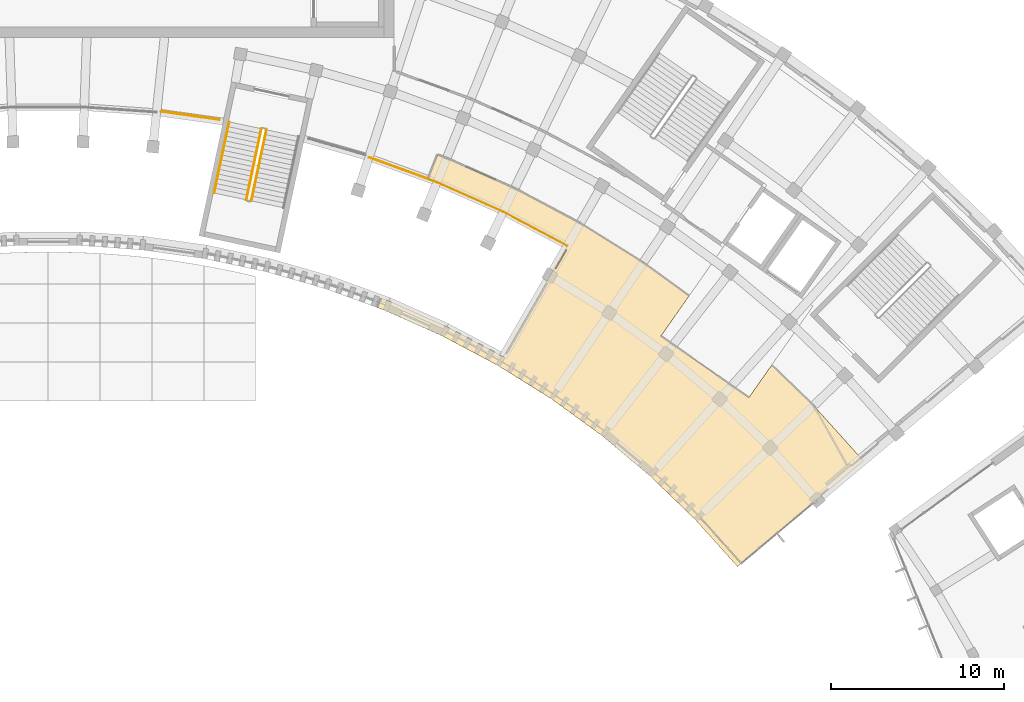
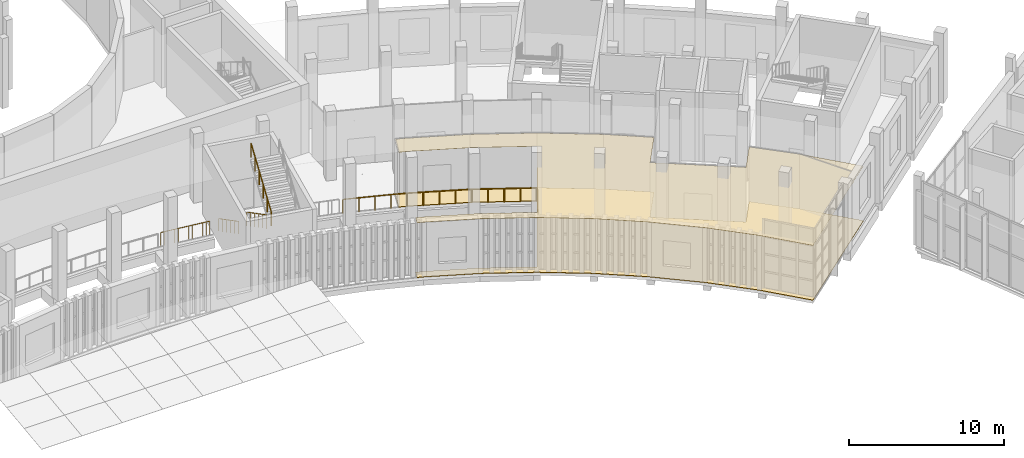
# One storey, part 87 of 112: 6 railings, 2 coverings.
"""IFC4 building model written with IfcOpenShell, lengths in metres."""

from ifc_helpers import new_model, si_unit, direction, frame, origin, origin_2d, place, context, subcontext, project, spatial, polyline, circle, outline, extrude, material, layer, layer_set, type_object, element, save


model = new_model("IFC4")

# Units and contexts
model_context = context("Model", 3, precision=1e-05, world=origin(), true_north=direction((0.0, 1.0)))
body_context = subcontext(model_context, "Body", "Model", "MODEL_VIEW")
ifc_project = project(units=[si_unit("LENGTHUNIT", "METRE"), si_unit("AREAUNIT", "SQUARE_METRE"), si_unit("VOLUMEUNIT", "CUBIC_METRE"), si_unit("PLANEANGLEUNIT", "RADIAN"), si_unit("MASSUNIT", "GRAM", prefix="KILO")], contexts=[model_context])

# Site, building, storey
site_placement = place(None, origin())
site = spatial("IfcSite", under=ifc_project, at=site_placement, CompositionType="ELEMENT")
building_placement = place(site_placement, origin())
building = spatial("IfcBuilding", under=site, at=building_placement, Name="Lunette Opera House", CompositionType="ELEMENT")
storey_placement = place(building_placement, frame((0.0, 0.0, 6.0)))
storey = spatial("IfcBuildingStorey", under=building, at=storey_placement, Name="L01", CompositionType="ELEMENT", Elevation=6.0)

# Railings
ifc_material_1 = material(Name="Steel S355", Category="steel")
railing_type_1 = type_object("IfcRailingType", Name="DECK GUARD 1100", PredefinedType="GUARDRAIL", material=ifc_material_1)
railing_1_placement = place(storey_placement, frame((102.52294921875, 59.716064453125, 0.0)))
element("IfcRailing", 1, at=railing_1_placement, inside=storey, type_object=railing_type_1, Name="Deck guard 014", PredefinedType="GUARDRAIL", context=body_context, shape_type="SweptSolid", body=[
    extrude(circle(Radius=0.02392578125, at=origin_2d()), frame((0.0, 0.0, 1.076171875), z_axis=(0.990775109816, -0.135516352406, 0.0), x_axis=(0.135516352406, 0.990775109816, 0.0)), (0.0, 0.0, 1.0), 0.2431640625),
    extrude(circle(Radius=0.02392578125, at=origin_2d()), frame((0.240966796875, -0.032958984375, 1.076171875), z_axis=(0.9901033447, -0.140340182463, 0.0), x_axis=(0.140340182463, 0.9901033447, 0.0)), (0.0, 0.0, 1.0), 0.72705078125),
    extrude(circle(Radius=0.02392578125, at=origin_2d()), frame((0.9609375, -0.135009765625, 1.076171875), z_axis=(0.990719556542, -0.135921890379, 0.0), x_axis=(0.135921890379, 0.990719556542, 0.0)), (0.0, 0.0, 1.0), 0.242431640625),
    extrude(circle(Radius=0.02392578125, at=origin_2d()), frame((1.201171875, -0.16796875, 1.076171875), z_axis=(0.99012974229, -0.140153820615, 0.0), x_axis=(0.140153820615, 0.99012974229, 0.0)), (0.0, 0.0, 1.0), 0.72802734375),
    extrude(circle(Radius=0.02392578125, at=origin_2d()), frame((1.922119140625, -0.27001953125, 1.076171875), z_axis=(0.990700927753, -0.136057604524, 0.0), x_axis=(0.136057604524, 0.990700927753, 0.0)), (0.0, 0.0, 1.0), 0.2421875),
    extrude(circle(Radius=0.02392578125, at=origin_2d()), frame((2.162109375, -0.302978515625, 1.076171875), z_axis=(0.99012974229, -0.140153820615, 0.0), x_axis=(0.140153820615, 0.99012974229, 0.0)), (0.0, 0.0, 1.0), 0.72802734375),
    extrude(circle(Radius=0.02392578125, at=origin_2d()), frame((2.883056640625, -0.405029296875, 1.076171875), z_axis=(0.990700927753, -0.136057604524, 0.0), x_axis=(0.136057604524, 0.990700927753, 0.0)), (0.0, 0.0, 1.0), 0.2421875),
    extrude(circle(Radius=0.02392578125, at=origin_2d()), frame((3.123046875, -0.43798828125, 1.076171875), z_axis=(0.990009831154, -0.140998348282, 0.0), x_axis=(0.140998348282, 0.990009831154, 0.0)), (0.0, 0.0, 1.0), 0.242431640625),
    extrude(circle(Radius=0.02099609375, at=origin_2d()), origin(), (0.0, 0.0, 1.0), 1.052001953125),
    extrude(circle(Radius=0.02099609375, at=origin_2d()), frame((0.240966796875, -0.032958984375, 0.0)), (0.0, 0.0, 1.0), 1.052001953125),
    extrude(circle(Radius=0.02099609375, at=origin_2d()), frame((0.9609375, -0.135009765625, 0.0)), (0.0, 0.0, 1.0), 1.052001953125),
    extrude(circle(Radius=0.02099609375, at=origin_2d()), frame((1.201171875, -0.16796875, 0.0)), (0.0, 0.0, 1.0), 1.052001953125),
    extrude(circle(Radius=0.02099609375, at=origin_2d()), frame((1.922119140625, -0.27001953125, 0.0)), (0.0, 0.0, 1.0), 1.052001953125),
    extrude(circle(Radius=0.02099609375, at=origin_2d()), frame((2.162109375, -0.302978515625, 0.0)), (0.0, 0.0, 1.0), 1.052001953125),
    extrude(circle(Radius=0.02099609375, at=origin_2d()), frame((2.883056640625, -0.405029296875, 0.0)), (0.0, 0.0, 1.0), 1.052001953125),
    extrude(circle(Radius=0.02099609375, at=origin_2d()), frame((3.123046875, -0.43798828125, 0.0)), (0.0, 0.0, 1.0), 1.052001953125),
    extrude(circle(Radius=0.02099609375, at=origin_2d()), frame((3.363037109375, -0.47216796875, 0.0)), (0.0, 0.0, 1.0), 1.052001953125),
])
railing_2_placement = place(storey_placement, frame((125.946044921875, 51.7080078125, 0.0)))
element("IfcRailing", 2, at=railing_2_placement, inside=storey, type_object=railing_type_1, Name="Deck guard 016", PredefinedType="GUARDRAIL", context=body_context, shape_type="SweptSolid", body=[
    extrude(circle(Radius=0.02392578125, at=origin_2d()), frame((0.0, 0.0, 1.076171875), z_axis=(-0.500821668911, -0.86555049301, 0.0), x_axis=(0.86555049301, -0.500821668911, 0.0)), (0.0, 0.0, 1.0), 0.493408203125),
    extrude(circle(Radius=0.02392578125, at=origin_2d()), frame((-0.2470703125, -0.427001953125, 1.076171875), z_axis=(-0.49826679157, -0.867023762315, 0.0), x_axis=(0.867023762315, -0.49826679157, 0.0)), (0.0, 0.0, 1.0), 0.2470703125),
    extrude(circle(Radius=0.02392578125, at=origin_2d()), frame((-0.3701171875, -0.64111328125, 1.076171875), z_axis=(-0.500450775723, -0.86576499183, 0.0), x_axis=(0.86576499183, -0.500450775723, 0.0)), (0.0, 0.0, 1.0), 0.4931640625),
    extrude(circle(Radius=0.02099609375, at=origin_2d()), origin(), (0.0, 0.0, 1.0), 1.052001953125),
    extrude(circle(Radius=0.02099609375, at=origin_2d()), frame((-0.2470703125, -0.427001953125, 0.0)), (0.0, 0.0, 1.0), 1.052001953125),
    extrude(circle(Radius=0.02099609375, at=origin_2d()), frame((-0.3701171875, -0.64111328125, 0.0)), (0.0, 0.0, 1.0), 1.052001953125),
    extrude(circle(Radius=0.02099609375, at=origin_2d()), frame((-0.616943359375, -1.068115234375, 0.0)), (0.0, 0.0, 1.0), 1.052001953125),
])
ifc_material_2 = material(Name="Steel S355", Category="steel")
railing_type_2 = type_object("IfcRailingType", Name="OPENING GUARD 1100", PredefinedType="GUARDRAIL", material=ifc_material_2)
railing_3_placement = place(storey_placement, frame((126.0, 51.9619140625, 0.0)))
element("IfcRailing", 3, at=railing_3_placement, inside=storey, type_object=railing_type_2, Name="Floor opening guard", PredefinedType="GUARDRAIL", context=body_context, shape_type="SweptSolid", body=[
    extrude(circle(Radius=0.02392578125, at=origin_2d()), frame((0.0, 0.0, 1.076171875), z_axis=(-0.882966989729, 0.469435080761, 0.0), x_axis=(-0.469435080761, -0.882966989729, 0.0)), (0.0, 0.0, 1.0), 4.188232421875),
    extrude(circle(Radius=0.02392578125, at=origin_2d()), frame((-3.697998046875, 1.966064453125, 1.076171875), z_axis=(-0.913570988879, 0.406679294137, 0.0), x_axis=(-0.406679294137, -0.913570988879, 0.0)), (0.0, 0.0, 1.0), 4.18798828125),
    extrude(circle(Radius=0.02392578125, at=origin_2d()), frame((-7.52392578125, 3.669189453125, 1.076171875), z_axis=(-0.939720204592, 0.34194434793, 0.0), x_axis=(-0.34194434793, -0.939720204592, 0.0)), (0.0, 0.0, 1.0), 4.1875),
    extrude(circle(Radius=0.02099609375, at=origin_2d()), origin(), (0.0, 0.0, 1.0), 1.052001953125),
    extrude(circle(Radius=0.02099609375, at=origin_2d()), frame((-0.924560546875, 0.491455078125, 0.0)), (0.0, 0.0, 1.0), 1.052001953125),
    extrude(circle(Radius=0.02099609375, at=origin_2d()), frame((-1.84912109375, 0.98291015625, 0.0)), (0.0, 0.0, 1.0), 1.052001953125),
    extrude(circle(Radius=0.02099609375, at=origin_2d()), frame((-2.7734375, 1.474609375, 0.0)), (0.0, 0.0, 1.0), 1.052001953125),
    extrude(circle(Radius=0.02099609375, at=origin_2d()), frame((-3.697998046875, 1.966064453125, 0.0)), (0.0, 0.0, 1.0), 1.052001953125),
    extrude(circle(Radius=0.02099609375, at=origin_2d()), frame((-4.654541015625, 2.391845703125, 0.0)), (0.0, 0.0, 1.0), 1.052001953125),
    extrude(circle(Radius=0.02099609375, at=origin_2d()), frame((-5.61083984375, 2.817626953125, 0.0)), (0.0, 0.0, 1.0), 1.052001953125),
    extrude(circle(Radius=0.02099609375, at=origin_2d()), frame((-6.5673828125, 3.243408203125, 0.0)), (0.0, 0.0, 1.0), 1.052001953125),
    extrude(circle(Radius=0.02099609375, at=origin_2d()), frame((-7.52392578125, 3.669189453125, 0.0)), (0.0, 0.0, 1.0), 1.052001953125),
    extrude(circle(Radius=0.02099609375, at=origin_2d()), frame((-8.5078125, 4.027099609375, 0.0)), (0.0, 0.0, 1.0), 1.052001953125),
    extrude(circle(Radius=0.02099609375, at=origin_2d()), frame((-9.491455078125, 4.38525390625, 0.0)), (0.0, 0.0, 1.0), 1.052001953125),
    extrude(circle(Radius=0.02099609375, at=origin_2d()), frame((-10.47509765625, 4.7431640625, 0.0)), (0.0, 0.0, 1.0), 1.052001953125),
    extrude(circle(Radius=0.02099609375, at=origin_2d()), frame((-11.458984375, 5.10107421875, 0.0)), (0.0, 0.0, 1.0), 1.052001953125),
])
ifc_material_3 = material(Name="Steel S355", Category="steel")
railing_type_3 = type_object("IfcRailingType", Name="STAIR GUARD 1100", PredefinedType="GUARDRAIL", material=ifc_material_3)
railing_4_placement = place(storey_placement, frame((108.32763671875, 58.720458984375, 0.171875)))
element("IfcRailing", 4, at=railing_4_placement, inside=storey, type_object=railing_type_3, Name="L01 GS2 stair guard 1", PredefinedType="GUARDRAIL", context=body_context, shape_type="SweptSolid", body=[
    extrude(circle(Radius=0.02392578125, at=origin_2d()), frame((0.0, 0.0, 1.076171875), z_axis=(-0.177157979895, -0.833623413786, 0.52315108157), x_axis=(0.978155748334, -0.207873355681, 0.0)), (0.0, 0.0, 1.0), 4.927978515625),
    extrude(circle(Radius=0.02099609375, at=origin_2d()), origin(), (0.0, 0.0, 1.0), 1.052001953125),
    extrude(circle(Radius=0.02099609375, at=origin_2d()), frame((-0.174560546875, -0.821533203125, 0.515625)), (0.0, 0.0, 1.0), 1.052001953125),
    extrude(circle(Radius=0.02099609375, at=origin_2d()), frame((-0.34912109375, -1.643310546875, 1.03125)), (0.0, 0.0, 1.0), 1.052001953125),
    extrude(circle(Radius=0.02099609375, at=origin_2d()), frame((-0.52392578125, -2.46484375, 1.546875)), (0.0, 0.0, 1.0), 1.052001953125),
    extrude(circle(Radius=0.02099609375, at=origin_2d()), frame((-0.698486328125, -3.28662109375, 2.0625)), (0.0, 0.0, 1.0), 1.052001953125),
    extrude(circle(Radius=0.02099609375, at=origin_2d()), frame((-0.873046875, -4.108154296875, 2.578125)), (0.0, 0.0, 1.0), 1.052001953125),
])
railing_5_placement = place(storey_placement, frame((107.747802734375, 54.5498046875, 2.921875)))
element("IfcRailing", 5, at=railing_5_placement, inside=storey, type_object=railing_type_3, Name="L01 GS2 stair guard 3", PredefinedType="GUARDRAIL", context=body_context, shape_type="SweptSolid", body=[
    extrude(circle(Radius=0.02392578125, at=origin_2d()), frame((0.0, 0.0, 1.076171875), z_axis=(0.177198647293, 0.833631209573, 0.523124885494), x_axis=(-0.978146440129, 0.207917150959, 0.0)), (0.0, 0.0, 1.0), 4.92822265625),
    extrude(circle(Radius=0.02099609375, at=origin_2d()), origin(), (0.0, 0.0, 1.0), 1.052001953125),
    extrude(circle(Radius=0.02099609375, at=origin_2d()), frame((0.174560546875, 0.82177734375, 0.515625)), (0.0, 0.0, 1.0), 1.052001953125),
    extrude(circle(Radius=0.02099609375, at=origin_2d()), frame((0.349365234375, 1.643310546875, 1.03125)), (0.0, 0.0, 1.0), 1.052001953125),
    extrude(circle(Radius=0.02099609375, at=origin_2d()), frame((0.52392578125, 2.465087890625, 1.546875)), (0.0, 0.0, 1.0), 1.052001953125),
    extrude(circle(Radius=0.02099609375, at=origin_2d()), frame((0.69873046875, 3.28662109375, 2.0625)), (0.0, 0.0, 1.0), 1.052001953125),
    extrude(circle(Radius=0.02099609375, at=origin_2d()), frame((0.873291015625, 4.1083984375, 2.578125)), (0.0, 0.0, 1.0), 1.052001953125),
])
ifc_material_4 = material(Name="Steel S355", Category="steel")
railing_type_4 = type_object("IfcRailingType", Name="STAIR HANDRAIL 1000", PredefinedType="HANDRAIL", material=ifc_material_4)
railing_6_placement = place(storey_placement, frame((106.46923828125, 59.115478515625, 0.171875)))
element("IfcRailing", 6, at=railing_6_placement, inside=storey, type_object=railing_type_4, Name="L01 GS2 stair handrail 1", PredefinedType="HANDRAIL", context=body_context, shape_type="SweptSolid", body=[
    extrude(circle(Radius=0.02392578125, at=origin_2d()), frame((0.0, 0.0, 0.97607421875), z_axis=(-0.177205965249, -0.83361609652, 0.523146489526), x_axis=(0.978143927149, -0.207928972925, 0.0)), (0.0, 0.0, 1.0), 4.92822265625),
    extrude(circle(Radius=0.02099609375, at=origin_2d()), origin(), (0.0, 0.0, 1.0), 0.951904296875),
    extrude(circle(Radius=0.02099609375, at=origin_2d()), frame((-0.174560546875, -0.821533203125, 0.515625)), (0.0, 0.0, 1.0), 0.951904296875),
    extrude(circle(Radius=0.02099609375, at=origin_2d()), frame((-0.349365234375, -1.643310546875, 1.03125)), (0.0, 0.0, 1.0), 0.951904296875),
    extrude(circle(Radius=0.02099609375, at=origin_2d()), frame((-0.52392578125, -2.46484375, 1.546875)), (0.0, 0.0, 1.0), 0.951904296875),
    extrude(circle(Radius=0.02099609375, at=origin_2d()), frame((-0.69873046875, -3.28662109375, 2.0625)), (0.0, 0.0, 1.0), 0.951904296875),
    extrude(circle(Radius=0.02099609375, at=origin_2d()), frame((-0.873291015625, -4.108154296875, 2.578125)), (0.0, 0.0, 1.0), 0.951904296875),
])

# Coverings
ifc_material_5 = material(Name="Mineral fibre board")
ifc_layer_1 = layer(ifc_material_5, 0.014892578125)
ifc_layer_set_1 = layer_set([ifc_layer_1], Name="Mineral fibre board")
covering_type_1 = type_object("IfcCoveringType", Name="SUSPENDED ACOUSTIC CEILING 15", PredefinedType="CEILING", material=ifc_layer_set_1)
covering_1_placement = place(storey_placement, frame((0.0, 0.0, 4.31494140625)))
element("IfcCovering", 7, at=covering_1_placement, inside=storey, type_object=covering_type_1, Name="Ceiling Stalls Bar", PredefinedType="CEILING", context=body_context, shape_type="SweptSolid", body=[
    extrude(outline(polyline([(119.05810546875, 47.277099609375), (122.300048828125, 45.552978515625), (126.0, 51.9619140625), (122.302001953125, 53.927978515625), (118.47607421875, 55.631103515625), (117.951904296875, 55.822021484375), (118.5009765625, 57.217041015625), (119.0380859375, 57.02197265625), (122.9599609375, 55.27587890625), (126.75, 53.260986328125), (130.389892578125, 50.986083984375), (133.0390625, 49.06103515625), (131.4140625, 46.739990234375), (136.491943359375, 43.18408203125), (137.81103515625, 45.06689453125), (140.239013671875, 42.720947265625), (143.112060546875, 39.531005859375), (139.1640625, 36.218994140625), (135.833984375, 33.425048828125), (134.14501953125, 35.302001953125), (133.406005859375, 36.1220703125), (130.794921875, 38.64404296875), (128.013916015625, 40.97705078125), (125.077880859375, 43.110107421875), (124.840087890625, 43.259033203125), (122.0, 45.032958984375), (118.794921875, 46.737060546875), (117.47802734375, 47.323974609375), (115.47998046875, 48.214111328125), (115.02490234375, 48.37890625), (115.2451171875, 48.93701171875), (115.7041015625, 48.77001953125), (119.05810546875, 47.277099609375)])), origin(), (0.0, 0.0, 1.0), 0.01513671875),
])
ifc_material_6 = material(Name="Timber", Category="wood")
ifc_layer_2 = layer(ifc_material_6, 0.0400390625)
ifc_layer_set_2 = layer_set([ifc_layer_2], Name="Timber")
covering_type_2 = type_object("IfcCoveringType", Name="TIMBER FLOOR FINISH 40", PredefinedType="FLOORING", material=ifc_layer_set_2)
covering_2_placement = place(storey_placement, origin())
element("IfcCovering", 8, at=covering_2_placement, inside=storey, type_object=covering_type_2, Name="Floor finish Stalls Bar", PredefinedType="FLOORING", context=body_context, shape_type="SweptSolid", body=[
    extrude(outline(polyline([(119.05810546875, 47.277099609375), (122.300048828125, 45.552978515625), (126.0, 51.9619140625), (122.302001953125, 53.927978515625), (118.47607421875, 55.631103515625), (117.951904296875, 55.822021484375), (118.5009765625, 57.217041015625), (119.0380859375, 57.02197265625), (122.9599609375, 55.27587890625), (126.75, 53.260986328125), (130.389892578125, 50.986083984375), (133.0390625, 49.06103515625), (131.4140625, 46.739990234375), (136.491943359375, 43.18408203125), (137.81103515625, 45.06689453125), (140.239013671875, 42.720947265625), (143.112060546875, 39.531005859375), (139.1640625, 36.218994140625), (135.833984375, 33.425048828125), (134.14501953125, 35.302001953125), (133.406005859375, 36.1220703125), (130.794921875, 38.64404296875), (128.013916015625, 40.97705078125), (125.077880859375, 43.110107421875), (124.840087890625, 43.259033203125), (122.0, 45.032958984375), (118.794921875, 46.737060546875), (117.47802734375, 47.323974609375), (115.47998046875, 48.214111328125), (115.02490234375, 48.37890625), (115.2451171875, 48.93701171875), (115.7041015625, 48.77001953125), (119.05810546875, 47.277099609375)])), origin(), (0.0, 0.0, 1.0), 0.0400390625),
])

save(model, "model.ifc")
